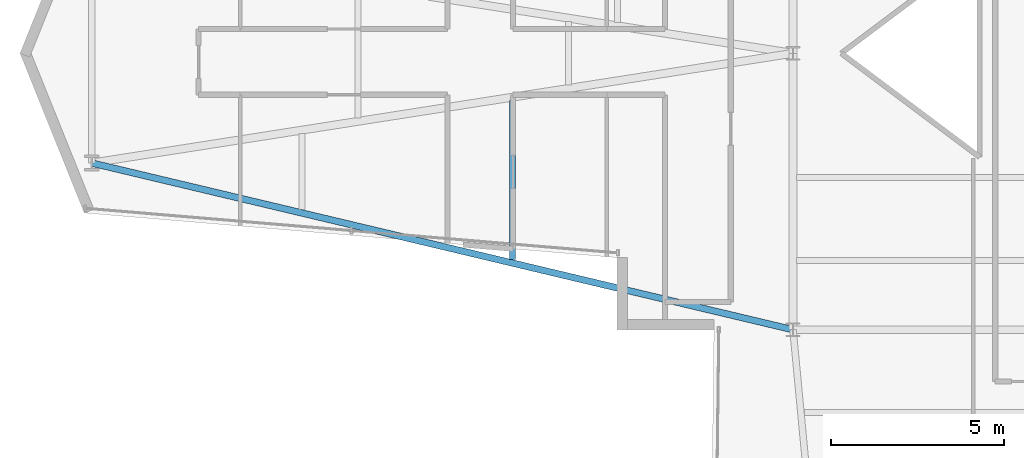
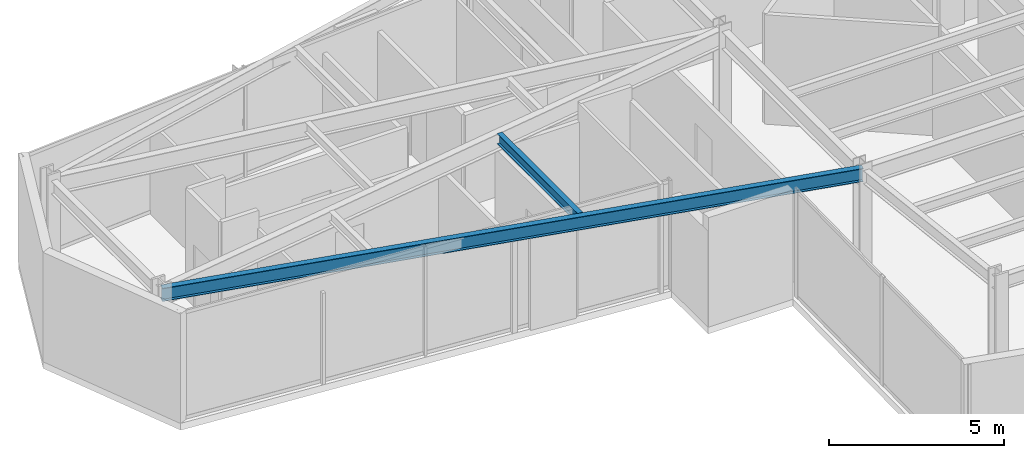
# One storey, part 3 of 26: 2 beams.
"""IFC4 building model written with IfcOpenShell, lengths in metres."""

import ifcopenshell
import ifcopenshell.guid

model = None  # the IFC model being written
_history = None  # IfcOwnerHistory: only IFC2X3 demands one
_inside = {}  # id of a spatial element -> (the spatial element, [elements in it])
_under = {}  # id of a project, library or spatial element -> (it, [spatial elements below it])
_declared = {}  # id of a project -> (the project, [libraries it declares])
_typed = {}  # id of a type object -> (the type object, [elements of that type])
_made_of = {}  # id of a material, layer set ... -> (it, [elements and type objects made of it])


def new_model(schema):
    """Start an empty IFC model of exactly this schema.

    Asked for "IFC4X3", IfcOpenShell would pick the latest addendum, in which some entities
    have other attributes; the version numbers below select the first issue.
    IFC2X3 requires an IfcOwnerHistory on every rooted entity: one is made here for all.
    """
    global model, _history
    if schema == "IFC4X3":
        model = ifcopenshell.file(schema_version=(4, 3, 0, 0))
    else:
        model = ifcopenshell.file(schema=schema)
    _inside.clear()
    _under.clear()
    _declared.clear()
    _typed.clear()
    _made_of.clear()
    _history = None
    if model.schema == "IFC2X3":
        org = make("IfcOrganization", Name="unknown")
        user = make(
            "IfcPersonAndOrganization",
            ThePerson=make("IfcPerson", FamilyName="unknown"),
            TheOrganization=org,
        )
        app = make(
            "IfcApplication",
            ApplicationDeveloper=org,
            Version="unknown",
            ApplicationFullName="unknown",
            ApplicationIdentifier="unknown",
        )
        _history = make(
            "IfcOwnerHistory",
            OwningUser=user,
            OwningApplication=app,
            ChangeAction="ADDED",
            CreationDate=0,
        )
    return model


def make(cls, **values):
    """One entity of the class cls with the attributes given. An attribute that is None is left unset."""
    return model.create_entity(
        cls, **{name: value for name, value in values.items() if value is not None}
    )


def rooted(cls, **values):
    """An entity with a GlobalId (a new one), such as an element, a storey or a relation."""
    return make(cls, GlobalId=ifcopenshell.guid.new(), OwnerHistory=_history, **values)


def si_unit(unit_type, name, prefix=None):
    """IfcSIUnit, for example si_unit("LENGTHUNIT", "METRE", prefix="MILLI")."""
    return make("IfcSIUnit", UnitType=unit_type, Prefix=prefix, Name=name)


def assignment(units):
    """IfcUnitAssignment: the units of a project."""
    return None if units is None else make("IfcUnitAssignment", Units=units)


def point(xyz):
    """IfcCartesianPoint."""
    return None if xyz is None else make("IfcCartesianPoint", Coordinates=xyz)


def direction(xyz):
    """IfcDirection."""
    return None if xyz is None else make("IfcDirection", DirectionRatios=xyz)


def frame(location, z_axis=None, x_axis=None):
    """IfcAxis2Placement3D, a coordinate frame: its origin and axes. An axis left out is left unset."""
    return make(
        "IfcAxis2Placement3D",
        Location=point(location),
        Axis=direction(z_axis),
        RefDirection=direction(x_axis),
    )


def frame_2d(location, x_axis=None):
    """IfcAxis2Placement2D, a coordinate frame in the plane: its origin and x axis."""
    return make(
        "IfcAxis2Placement2D", Location=point(location), RefDirection=direction(x_axis)
    )


def origin():
    """The frame at (0, 0, 0) with its axes left unset."""
    return frame((0.0, 0.0, 0.0))


def origin_2d():
    """The frame at (0, 0) in the plane with its x axis left unset."""
    return frame_2d((0.0, 0.0))


def place(relative_to, where):
    """IfcLocalPlacement: puts the frame where relative to a parent placement (None: the world)."""
    return make(
        "IfcLocalPlacement", PlacementRelTo=relative_to, RelativePlacement=where
    )


def context(
    kind, dimensions, precision=None, world=None, true_north=None, identifier=None
):
    """IfcGeometricRepresentationContext, for example the 3D "Model" context."""
    return make(
        "IfcGeometricRepresentationContext",
        ContextIdentifier=identifier,
        ContextType=kind,
        CoordinateSpaceDimension=dimensions,
        Precision=precision,
        WorldCoordinateSystem=world,
        TrueNorth=true_north,
    )


def subcontext(parent, identifier, kind, view, scale=None):
    """IfcGeometricRepresentationSubContext, for example "Body" below "Model"."""
    return make(
        "IfcGeometricRepresentationSubContext",
        ContextIdentifier=identifier,
        ContextType=kind,
        ParentContext=parent,
        TargetScale=scale,
        TargetView=view,
    )


def project(units=None, contexts=None):
    """IfcProject with its units and contexts."""
    return rooted(
        "IfcProject",
        Name="project",
        RepresentationContexts=contexts,
        UnitsInContext=assignment(units),
    )


def spatial(cls, under=None, at=None, **own):
    """A site, building, storey or space (cls), placed at a placement, below another one or the project."""
    s = rooted(cls, ObjectPlacement=at, **own)
    if under is not None:
        _under.setdefault(under.id(), (under, []))[1].append(s)
    return s


def profile(cls, at=None, kind="AREA", **sizes):
    """A parametric profile (cls). Its sizes go by their IFC names, for example OverallWidth=200.0."""
    return make(cls, ProfileType=kind, Position=at, **sizes)


def i_section(**sizes):
    """IfcIShapeProfileDef."""
    return profile("IfcIShapeProfileDef", **sizes)


def extrude(swept, where, along, depth):
    """IfcExtrudedAreaSolid: the profile swept, set in the frame where, extruded along a direction by depth."""
    return make(
        "IfcExtrudedAreaSolid",
        SweptArea=swept,
        Position=where,
        ExtrudedDirection=direction(along),
        Depth=depth,
    )


def shape(context_of_items, identifier, shape_type, items):
    """IfcShapeRepresentation: the items that make up one representation, for example the "Body"."""
    return make(
        "IfcShapeRepresentation",
        ContextOfItems=context_of_items,
        RepresentationIdentifier=identifier,
        RepresentationType=shape_type,
        Items=items,
    )


def material(Name=None, Category=None):
    """IfcMaterial."""
    return make("IfcMaterial", Name=Name, Category=Category)


def material_profile(
    of_material, cross_section, Name=None, Category=None, Priority=None
):
    """IfcMaterialProfile: a cross section and its material."""
    return make(
        "IfcMaterialProfile",
        Name=Name,
        Material=of_material,
        Profile=cross_section,
        Priority=Priority,
        Category=Category,
    )


def profile_set(profiles, Name=None, composite=None):
    """IfcMaterialProfileSet."""
    return make(
        "IfcMaterialProfileSet",
        Name=Name,
        MaterialProfiles=profiles,
        CompositeProfile=composite,
    )


def made_of(thing, what):
    """Note that an element or type object is made of a material, layer set ...; save() writes the relation."""
    if what is not None:
        _made_of.setdefault(what.id(), (what, []))[1].append(thing)
    return thing


def type_object(cls, material=None, **own):
    """A type object (cls), such as IfcWallType, which elements share."""
    return made_of(rooted(cls, **own), material)


def element(
    cls,
    number,
    at=None,
    inside=None,
    cuts=None,
    type_object=None,
    material=None,
    context=None,
    identifier="Body",
    shape_type=None,
    held_by="IfcProductDefinitionShape",
    body=None,
    shapes=None,
    **own,
):
    """One element of the class cls, such as IfcWall. Its Tag is "e" and its number.

    at: its placement. inside: the storey or other place that contains it. cuts: it is an
    opening in that element (IfcRelVoidsElement). A single representation is given by context,
    identifier, shape_type and body (its items); several are given by shapes. held_by: the class
    of the entity that holds the representations. save() writes the other relations.
    """
    e = rooted(cls, Tag="e%d" % number, ObjectPlacement=at, **own)
    if body is not None:
        shapes = [shape(context, identifier, shape_type, body)]
    if shapes is not None:
        e.Representation = make(held_by, Representations=shapes)
    if inside is not None:
        _inside.setdefault(inside.id(), (inside, []))[1].append(e)
    if cuts is not None:
        rooted(
            "IfcRelVoidsElement", RelatingBuildingElement=cuts, RelatedOpeningElement=e
        )
    if type_object is not None:
        _typed.setdefault(type_object.id(), (type_object, []))[1].append(e)
    return made_of(e, material)


def aggregate(whole, parts):
    """IfcRelAggregates: a whole, such as a stair, and the parts it consists of."""
    return rooted("IfcRelAggregates", RelatingObject=whole, RelatedObjects=parts)


def save(model, path):
    """Write the relations noted so far, then the file.

    IfcRelAggregates (storeys below a building ...), IfcRelContainedInSpatialStructure (elements
    in a storey), IfcRelDefinesByType, IfcRelAssociatesMaterial and IfcRelDeclares: one each for
    every whole, place, type object, material and project.
    """
    for whole, parts in _under.values():
        aggregate(whole, parts)
    for where, things in _inside.values():
        rooted(
            "IfcRelContainedInSpatialStructure",
            RelatedElements=things,
            RelatingStructure=where,
        )
    for kind, things in _typed.values():
        rooted("IfcRelDefinesByType", RelatedObjects=things, RelatingType=kind)
    for what, things in _made_of.values():
        rooted("IfcRelAssociatesMaterial", RelatedObjects=things, RelatingMaterial=what)
    for by, libraries in _declared.values():
        rooted("IfcRelDeclares", RelatingContext=by, RelatedDefinitions=libraries)
    model.write(path)


model = new_model("IFC4")

# Units and contexts
model_context = context("Model", 3, precision=1e-05, world=origin(), true_north=direction((0.0, 1.0)))
body_context = subcontext(model_context, "Body", "Model", "MODEL_VIEW")
ifc_project = project(units=[si_unit("LENGTHUNIT", "METRE"), si_unit("AREAUNIT", "SQUARE_METRE"), si_unit("VOLUMEUNIT", "CUBIC_METRE"), si_unit("PLANEANGLEUNIT", "RADIAN"), si_unit("MASSUNIT", "GRAM", prefix="KILO")], contexts=[model_context])

# Site, building, storey
site_placement = place(None, origin())
site = spatial("IfcSite", under=ifc_project, at=site_placement, CompositionType="ELEMENT")
building_placement = place(site_placement, origin())
building = spatial("IfcBuilding", under=site, at=building_placement, Name="Veymaron Broadcast Tower", CompositionType="ELEMENT")
storey_placement = place(building_placement, frame((0.0, 0.0, 133.050048828125)))
storey = spatial("IfcBuildingStorey", under=building, at=storey_placement, Name="L30", CompositionType="ELEMENT", Elevation=133.050048828125)

# Beams
ifc_material = material(Name="Structural steel ASTM A992 Gr 50", Category="steel")
ifc_material_profile_1 = material_profile(ifc_material, i_section(OverallWidth=0.1708984375, OverallDepth=0.35498046875, WebThickness=0.007080078125, FlangeThickness=0.01171875, at=origin_2d()), Name="W360X51")
ifc_profile_set_1 = profile_set([ifc_material_profile_1], Name="Structural steel ASTM A992 Gr 50")
beam_type_1 = type_object("IfcBeamType", Name="BM-JS2", PredefinedType="JOIST", material=ifc_profile_set_1)
beam_1_placement = place(storey_placement, frame((23.08203125, 18.030029296875, 3.632568359375), z_axis=(0.0, 1.0, 0.0), x_axis=(-1.0, 0.0, 0.0)))
element("IfcBeam", 1, at=beam_1_placement, inside=storey, type_object=beam_type_1, Name="L30 Arm-A secondary joist 2S", PredefinedType="JOIST", context=body_context, shape_type="SweptSolid", body=[
    extrude(i_section(OverallWidth=0.1708984375, OverallDepth=0.35498046875, WebThickness=0.007080078125, FlangeThickness=0.01171875, at=origin_2d()), origin(), (0.0, 0.0, 1.0), 4.599853515625),
])
ifc_material_profile_2 = material_profile(ifc_material, i_section(OverallWidth=0.19091796875, OverallDepth=0.4599609375, WebThickness=0.010009765625, FlangeThickness=0.01611328125, at=origin_2d()), Name="W460X82")
ifc_profile_set_2 = profile_set([ifc_material_profile_2], Name="Structural steel ASTM A992 Gr 50")
beam_type_2 = type_object("IfcBeamType", Name="BM-SP1", PredefinedType="SPANDREL", material=ifc_profile_set_2)
beam_2_placement = place(storey_placement, frame((10.905029296875, 20.824951171875, 3.579833984375), z_axis=(0.972883639047, -0.231295103437, 0.0), x_axis=(0.231295103437, 0.972883639047, 0.0)))
element("IfcBeam", 2, at=beam_2_placement, inside=storey, type_object=beam_type_2, Name="L30 primary structural floor girder", PredefinedType="SPANDREL", context=body_context, shape_type="SweptSolid", body=[
    extrude(i_section(OverallWidth=0.19091796875, OverallDepth=0.4599609375, WebThickness=0.010009765625, FlangeThickness=0.01611328125, at=origin_2d()), origin(), (0.0, 0.0, 1.0), 20.860595703125),
])

save(model, "model.ifc")
